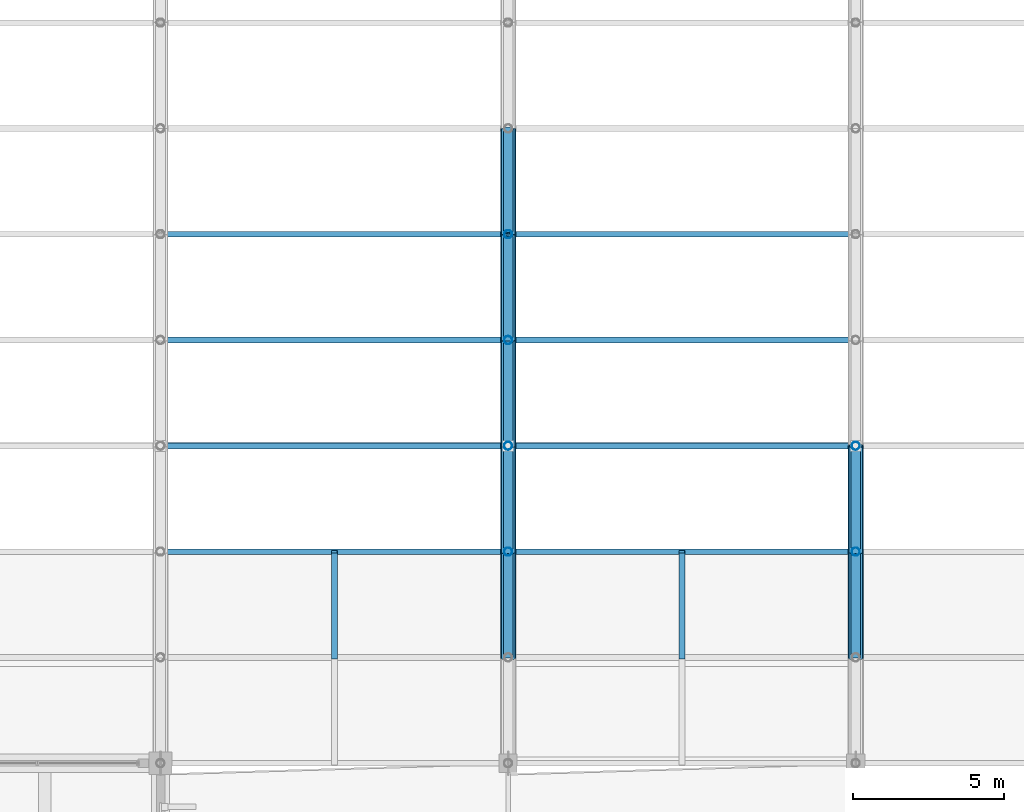
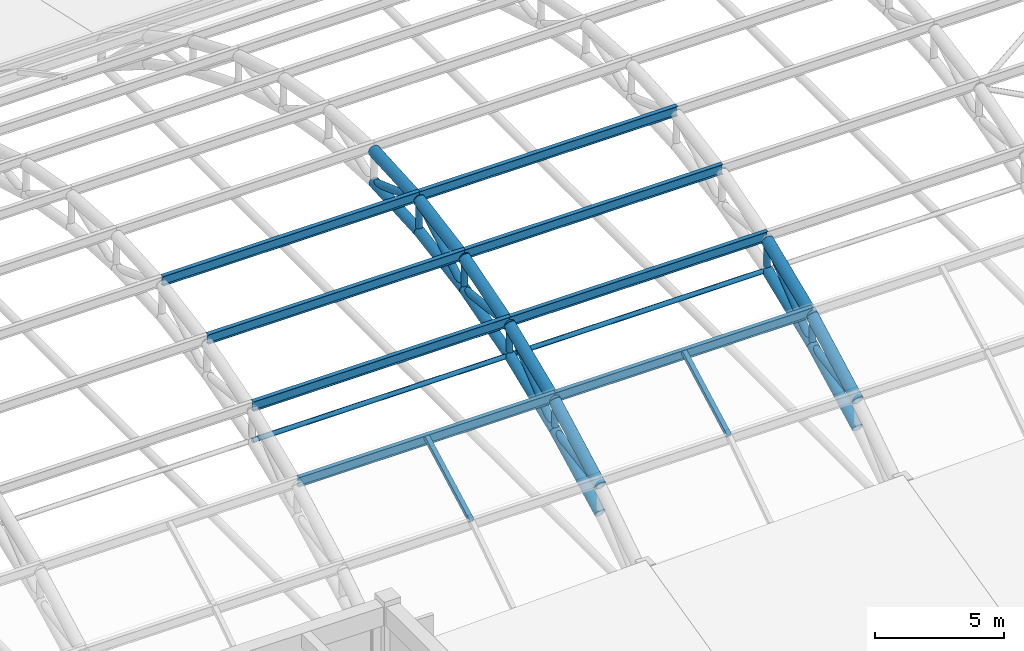
# One storey, part 97 of 154: 39 members.
"""IFC4 building model written with IfcOpenShell, lengths in metres."""

from ifc_helpers import new_model, si_unit, direction, frame, origin, origin_2d, place, context, subcontext, project, spatial, hollow_rectangle, hollow_circle, i_section, extrude, material, material_profile, profile_set, type_object, element, save


model = new_model("IFC4")

# Units and contexts
model_context = context("Model", 3, precision=1e-05, world=origin(), true_north=direction((0.0, 1.0)))
body_context = subcontext(model_context, "Body", "Model", "MODEL_VIEW")
ifc_project = project(units=[si_unit("LENGTHUNIT", "METRE"), si_unit("AREAUNIT", "SQUARE_METRE"), si_unit("VOLUMEUNIT", "CUBIC_METRE"), si_unit("PLANEANGLEUNIT", "RADIAN"), si_unit("MASSUNIT", "GRAM", prefix="KILO")], contexts=[model_context])

# Site, building, storey
site_placement = place(None, origin())
site = spatial("IfcSite", under=ifc_project, at=site_placement, CompositionType="ELEMENT")
building_placement = place(site_placement, origin())
building = spatial("IfcBuilding", under=site, at=building_placement, Name="Ologun Quay Terminus", CompositionType="ELEMENT")
storey_placement = place(building_placement, frame((0.0, 0.0, 13.800048828125)))
storey = spatial("IfcBuildingStorey", under=building, at=storey_placement, Name="L03", CompositionType="ELEMENT", Elevation=13.800048828125)

# Members
ifc_material_1 = material(Name="Steel S355", Category="steel")
ifc_material_profile_1 = material_profile(ifc_material_1, hollow_circle(Radius=0.136474609375, WallThickness=0.010009765625, at=origin_2d()), Name="CHS 273x10")
ifc_profile_set_1 = profile_set([ifc_material_profile_1], Name="Steel S355")
member_type_1 = type_object("IfcMemberType", Name="Arch Truss Vertical Post CHS273", PredefinedType="STRUT", material=ifc_profile_set_1)
member_1_placement = place(storey_placement, frame((138.0, 43.0, 4.022216796875), z_axis=(0.0, 0.0, 1.0), x_axis=(1.0, 0.0, 0.0)))
element("IfcMember", 1, at=member_1_placement, inside=storey, type_object=member_type_1, Name="AW2 Arch Web Post 13-N2", PredefinedType="STRUT", context=body_context, shape_type="SweptSolid", body=[
    extrude(hollow_circle(Radius=0.136474609375, WallThickness=0.010009765625, at=origin_2d()), origin(), (0.0, 0.0, 1.0), 1.35546875),
])
member_2_placement = place(storey_placement, frame((138.0, 46.5, 5.429931640625), z_axis=(0.0, 0.0, 1.0), x_axis=(1.0, 0.0, 0.0)))
element("IfcMember", 2, at=member_2_placement, inside=storey, type_object=member_type_1, Name="AW2 Arch Web Post 13-N3", PredefinedType="STRUT", context=body_context, shape_type="SweptSolid", body=[
    extrude(hollow_circle(Radius=0.136474609375, WallThickness=0.010009765625, at=origin_2d()), origin(), (0.0, 0.0, 1.0), 1.409912109375),
])
member_3_placement = place(storey_placement, frame((138.0, 50.0, 6.435546875), z_axis=(0.0, 0.0, 1.0), x_axis=(1.0, 0.0, 0.0)))
element("IfcMember", 3, at=member_3_placement, inside=storey, type_object=member_type_1, Name="AW2 Arch Web Post 13-N4", PredefinedType="STRUT", context=body_context, shape_type="SweptSolid", body=[
    extrude(hollow_circle(Radius=0.136474609375, WallThickness=0.010009765625, at=origin_2d()), origin(), (0.0, 0.0, 1.0), 1.44873046875),
])
member_4_placement = place(storey_placement, frame((138.0, 53.5, 7.038818359375), z_axis=(0.0, 0.0, 1.0), x_axis=(1.0, 0.0, 0.0)))
element("IfcMember", 4, at=member_4_placement, inside=storey, type_object=member_type_1, Name="AW2 Arch Web Post 13-N5", PredefinedType="STRUT", context=body_context, shape_type="SweptSolid", body=[
    extrude(hollow_circle(Radius=0.136474609375, WallThickness=0.010009765625, at=origin_2d()), origin(), (0.0, 0.0, 1.0), 1.47216796875),
])
member_5_placement = place(storey_placement, frame((149.5, 43.0, 4.022216796875), z_axis=(0.0, 0.0, 1.0), x_axis=(1.0, 0.0, 0.0)))
element("IfcMember", 5, at=member_5_placement, inside=storey, type_object=member_type_1, Name="AW2 Arch Web Post 14-N2", PredefinedType="STRUT", context=body_context, shape_type="SweptSolid", body=[
    extrude(hollow_circle(Radius=0.136474609375, WallThickness=0.010009765625, at=origin_2d()), origin(), (0.0, 0.0, 1.0), 1.35546875),
])
member_6_placement = place(storey_placement, frame((149.5, 46.5, 5.429931640625), z_axis=(0.0, 0.0, 1.0), x_axis=(1.0, 0.0, 0.0)))
element("IfcMember", 6, at=member_6_placement, inside=storey, type_object=member_type_1, Name="AW2 Arch Web Post 14-N3", PredefinedType="STRUT", context=body_context, shape_type="SweptSolid", body=[
    extrude(hollow_circle(Radius=0.136474609375, WallThickness=0.010009765625, at=origin_2d()), origin(), (0.0, 0.0, 1.0), 1.409912109375),
])
ifc_material_2 = material(Name="Steel S355", Category="steel")
ifc_material_profile_2 = material_profile(ifc_material_2, hollow_circle(Radius=0.161865234375, WallThickness=0.010009765625, at=origin_2d()), Name="CHS 323.9x10")
ifc_profile_set_2 = profile_set([ifc_material_profile_2], Name="Steel S355")
member_type_2 = type_object("IfcMemberType", Name="Arch Truss Web Diagonal CHS323", PredefinedType="BRACE", material=ifc_profile_set_2)
member_7_placement = place(storey_placement, frame((138.0, 39.5, 3.497802734375), z_axis=(0.0, 0.988960627525, 0.148178531524), x_axis=(-1.0, 0.0, 0.0)))
element("IfcMember", 7, at=member_7_placement, inside=storey, type_object=member_type_2, Name="AW1 Arch Web Diagonal 13-P2", PredefinedType="BRACE", context=body_context, shape_type="SweptSolid", body=[
    extrude(hollow_circle(Radius=0.161865234375, WallThickness=0.010009765625, at=origin_2d()), origin(), (0.0, 0.0, 1.0), 3.5390625),
])
member_8_placement = place(storey_placement, frame((138.0, 43.0, 4.022216796875), z_axis=(0.0, 0.77895148125, 0.627084196785), x_axis=(-1.0, 0.0, 0.0)))
element("IfcMember", 8, at=member_8_placement, inside=storey, type_object=member_type_2, Name="AW1 Arch Web Diagonal 13-P3", PredefinedType="BRACE", context=body_context, shape_type="SweptSolid", body=[
    extrude(hollow_circle(Radius=0.161865234375, WallThickness=0.010009765625, at=origin_2d()), origin(), (0.0, 0.0, 1.0), 4.4931640625),
])
member_9_placement = place(storey_placement, frame((138.0, 46.5, 6.83984375), z_axis=(0.0, 0.993394361, -0.114750353084), x_axis=(-1.0, 0.0, 0.0)))
element("IfcMember", 9, at=member_9_placement, inside=storey, type_object=member_type_2, Name="AW1 Arch Web Diagonal 13-P4", PredefinedType="BRACE", context=body_context, shape_type="SweptSolid", body=[
    extrude(hollow_circle(Radius=0.161865234375, WallThickness=0.010009765625, at=origin_2d()), origin(), (0.0, 0.0, 1.0), 3.523193359375),
])
member_10_placement = place(storey_placement, frame((138.0, 50.0, 6.435546875), z_axis=(0.0, 0.860144332958, 0.510050709715), x_axis=(-1.0, 0.0, 0.0)))
element("IfcMember", 10, at=member_10_placement, inside=storey, type_object=member_type_2, Name="AW1 Arch Web Diagonal 13-P5", PredefinedType="BRACE", context=body_context, shape_type="SweptSolid", body=[
    extrude(hollow_circle(Radius=0.161865234375, WallThickness=0.010009765625, at=origin_2d()), origin(), (0.0, 0.0, 1.0), 4.069091796875),
])
member_11_placement = place(storey_placement, frame((138.0, 53.5, 8.510986328125), z_axis=(0.0, 0.939942650142, -0.34133241048), x_axis=(-1.0, 0.0, 0.0)))
element("IfcMember", 11, at=member_11_placement, inside=storey, type_object=member_type_2, Name="AW1 Arch Web Diagonal 13-P6", PredefinedType="BRACE", context=body_context, shape_type="SweptSolid", body=[
    extrude(hollow_circle(Radius=0.161865234375, WallThickness=0.010009765625, at=origin_2d()), origin(), (0.0, 0.0, 1.0), 3.7236328125),
])
member_12_placement = place(storey_placement, frame((149.5, 39.5, 3.497802734375), z_axis=(0.0, 0.988960627525, 0.148178531524), x_axis=(-1.0, 0.0, 0.0)))
element("IfcMember", 12, at=member_12_placement, inside=storey, type_object=member_type_2, Name="AW1 Arch Web Diagonal 14-P2", PredefinedType="BRACE", context=body_context, shape_type="SweptSolid", body=[
    extrude(hollow_circle(Radius=0.161865234375, WallThickness=0.010009765625, at=origin_2d()), origin(), (0.0, 0.0, 1.0), 3.5390625),
])
member_13_placement = place(storey_placement, frame((149.5, 43.0, 4.022216796875), z_axis=(0.0, 0.77895148125, 0.627084196785), x_axis=(-1.0, 0.0, 0.0)))
element("IfcMember", 13, at=member_13_placement, inside=storey, type_object=member_type_2, Name="AW1 Arch Web Diagonal 14-P3", PredefinedType="BRACE", context=body_context, shape_type="SweptSolid", body=[
    extrude(hollow_circle(Radius=0.161865234375, WallThickness=0.010009765625, at=origin_2d()), origin(), (0.0, 0.0, 1.0), 4.4931640625),
])
ifc_material_3 = material(Name="Steel S355", Category="steel")
ifc_material_profile_3 = material_profile(ifc_material_3, hollow_circle(Radius=0.228515625, WallThickness=0.01611328125, at=origin_2d()), Name="CHS 457x16")
ifc_profile_set_3 = profile_set([ifc_material_profile_3], Name="Steel S355")
member_type_3 = type_object("IfcMemberType", Name="Parabolic Arch Bottom Chord CHS457", PredefinedType="CHORD", material=ifc_profile_set_3)
member_14_placement = place(storey_placement, frame((138.0, 39.5, 2.212158203125), z_axis=(0.0, 0.888247284083, 0.459365608551), x_axis=(-1.0, 0.0, 0.0)))
element("IfcMember", 14, at=member_14_placement, inside=storey, type_object=member_type_3, Name="AC2 Arch Bottom Chord 13-P2", PredefinedType="CHORD", context=body_context, shape_type="SweptSolid", body=[
    extrude(hollow_circle(Radius=0.228515625, WallThickness=0.01611328125, at=origin_2d()), origin(), (0.0, 0.0, 1.0), 3.9404296875),
])
member_15_placement = place(storey_placement, frame((138.0, 43.0, 4.022216796875), z_axis=(0.0, 0.92776983497, 0.373152962363), x_axis=(-1.0, 0.0, 0.0)))
element("IfcMember", 15, at=member_15_placement, inside=storey, type_object=member_type_3, Name="AC2 Arch Bottom Chord 13-P3", PredefinedType="CHORD", context=body_context, shape_type="SweptSolid", body=[
    extrude(hollow_circle(Radius=0.228515625, WallThickness=0.01611328125, at=origin_2d()), origin(), (0.0, 0.0, 1.0), 3.7724609375),
])
member_16_placement = place(storey_placement, frame((138.0, 46.5, 5.429931640625), z_axis=(0.0, 0.961115578425, 0.276146419331), x_axis=(-1.0, 0.0, 0.0)))
element("IfcMember", 16, at=member_16_placement, inside=storey, type_object=member_type_3, Name="AC2 Arch Bottom Chord 13-P4", PredefinedType="CHORD", context=body_context, shape_type="SweptSolid", body=[
    extrude(hollow_circle(Radius=0.228515625, WallThickness=0.01611328125, at=origin_2d()), origin(), (0.0, 0.0, 1.0), 3.6416015625),
])
member_17_placement = place(storey_placement, frame((138.0, 50.0, 6.435546875), z_axis=(0.0, 0.985468449185, 0.16985857547), x_axis=(-1.0, 0.0, 0.0)))
element("IfcMember", 17, at=member_17_placement, inside=storey, type_object=member_type_3, Name="AC2 Arch Bottom Chord 13-P5", PredefinedType="CHORD", context=body_context, shape_type="SweptSolid", body=[
    extrude(hollow_circle(Radius=0.228515625, WallThickness=0.01611328125, at=origin_2d()), origin(), (0.0, 0.0, 1.0), 3.551513671875),
])
member_18_placement = place(storey_placement, frame((138.0, 53.5, 7.038818359375), z_axis=(0.0, 0.998352239869, 0.057382969144), x_axis=(-1.0, 0.0, 0.0)))
element("IfcMember", 18, at=member_18_placement, inside=storey, type_object=member_type_3, Name="AC2 Arch Bottom Chord 13-P6", PredefinedType="CHORD", context=body_context, shape_type="SweptSolid", body=[
    extrude(hollow_circle(Radius=0.228515625, WallThickness=0.01611328125, at=origin_2d()), origin(), (0.0, 0.0, 1.0), 3.505859375),
])
member_19_placement = place(storey_placement, frame((149.5, 39.5, 2.212158203125), z_axis=(0.0, 0.888247284083, 0.459365608551), x_axis=(-1.0, 0.0, 0.0)))
element("IfcMember", 19, at=member_19_placement, inside=storey, type_object=member_type_3, Name="AC2 Arch Bottom Chord 14-P2", PredefinedType="CHORD", context=body_context, shape_type="SweptSolid", body=[
    extrude(hollow_circle(Radius=0.228515625, WallThickness=0.01611328125, at=origin_2d()), origin(), (0.0, 0.0, 1.0), 3.9404296875),
])
member_20_placement = place(storey_placement, frame((149.5, 43.0, 4.022216796875), z_axis=(0.0, 0.92776983497, 0.373152962363), x_axis=(-1.0, 0.0, 0.0)))
element("IfcMember", 20, at=member_20_placement, inside=storey, type_object=member_type_3, Name="AC2 Arch Bottom Chord 14-P3", PredefinedType="CHORD", context=body_context, shape_type="SweptSolid", body=[
    extrude(hollow_circle(Radius=0.228515625, WallThickness=0.01611328125, at=origin_2d()), origin(), (0.0, 0.0, 1.0), 3.7724609375),
])
ifc_material_4 = material(Name="Steel S355", Category="steel")
ifc_material_profile_4 = material_profile(ifc_material_4, hollow_circle(Radius=0.25390625, WallThickness=0.01611328125, at=origin_2d()), Name="CHS 508x16")
ifc_profile_set_4 = profile_set([ifc_material_profile_4], Name="Steel S355")
member_type_4 = type_object("IfcMemberType", Name="Parabolic Arch Top Chord CHS508", PredefinedType="CHORD", material=ifc_profile_set_4)
member_21_placement = place(storey_placement, frame((138.0, 39.5, 3.497802734375), z_axis=(0.0, 0.880967864924, 0.473176099324), x_axis=(-1.0, 0.0, 0.0)))
element("IfcMember", 21, at=member_21_placement, inside=storey, type_object=member_type_4, Name="Arch Top Chord 13-P2", PredefinedType="CHORD", context=body_context, shape_type="SweptSolid", body=[
    extrude(hollow_circle(Radius=0.25390625, WallThickness=0.01611328125, at=origin_2d()), origin(), (0.0, 0.0, 1.0), 3.972900390625),
])
member_22_placement = place(storey_placement, frame((138.0, 43.0, 5.377685546875), z_axis=(0.0, 0.922718523726, 0.385474416755), x_axis=(-1.0, 0.0, 0.0)))
element("IfcMember", 22, at=member_22_placement, inside=storey, type_object=member_type_4, Name="Arch Top Chord 13-P3", PredefinedType="CHORD", context=body_context, shape_type="SweptSolid", body=[
    extrude(hollow_circle(Radius=0.25390625, WallThickness=0.01611328125, at=origin_2d()), origin(), (0.0, 0.0, 1.0), 3.793212890625),
])
member_23_placement = place(storey_placement, frame((138.0, 46.5, 6.83984375), z_axis=(0.0, 0.958244712677, 0.285949419701), x_axis=(-1.0, 0.0, 0.0)))
element("IfcMember", 23, at=member_23_placement, inside=storey, type_object=member_type_4, Name="Arch Top Chord 13-P4", PredefinedType="CHORD", context=body_context, shape_type="SweptSolid", body=[
    extrude(hollow_circle(Radius=0.25390625, WallThickness=0.01611328125, at=origin_2d()), origin(), (0.0, 0.0, 1.0), 3.652587890625),
])
member_24_placement = place(storey_placement, frame((138.0, 50.0, 7.88427734375), z_axis=(0.0, 0.984344289591, 0.176256402859), x_axis=(-1.0, 0.0, 0.0)))
element("IfcMember", 24, at=member_24_placement, inside=storey, type_object=member_type_4, Name="Arch Top Chord 13-P5", PredefinedType="CHORD", context=body_context, shape_type="SweptSolid", body=[
    extrude(hollow_circle(Radius=0.25390625, WallThickness=0.01611328125, at=origin_2d()), origin(), (0.0, 0.0, 1.0), 3.5556640625),
])
member_25_placement = place(storey_placement, frame((138.0, 53.5, 8.510986328125), z_axis=(0.0, 0.998222121157, 0.0596036646), x_axis=(-1.0, 0.0, 0.0)))
element("IfcMember", 25, at=member_25_placement, inside=storey, type_object=member_type_4, Name="Arch Top Chord 13-P6", PredefinedType="CHORD", context=body_context, shape_type="SweptSolid", body=[
    extrude(hollow_circle(Radius=0.25390625, WallThickness=0.01611328125, at=origin_2d()), origin(), (0.0, 0.0, 1.0), 3.50634765625),
])
member_26_placement = place(storey_placement, frame((149.5, 39.5, 3.497802734375), z_axis=(0.0, 0.880967864924, 0.473176099324), x_axis=(-1.0, 0.0, 0.0)))
element("IfcMember", 26, at=member_26_placement, inside=storey, type_object=member_type_4, Name="Arch Top Chord 14-P2", PredefinedType="CHORD", context=body_context, shape_type="SweptSolid", body=[
    extrude(hollow_circle(Radius=0.25390625, WallThickness=0.01611328125, at=origin_2d()), origin(), (0.0, 0.0, 1.0), 3.972900390625),
])
member_27_placement = place(storey_placement, frame((149.5, 43.0, 5.377685546875), z_axis=(0.0, 0.922718523726, 0.385474416755), x_axis=(-1.0, 0.0, 0.0)))
element("IfcMember", 27, at=member_27_placement, inside=storey, type_object=member_type_4, Name="Arch Top Chord 14-P3", PredefinedType="CHORD", context=body_context, shape_type="SweptSolid", body=[
    extrude(hollow_circle(Radius=0.25390625, WallThickness=0.01611328125, at=origin_2d()), origin(), (0.0, 0.0, 1.0), 3.793212890625),
])
ifc_material_5 = material(Name="Steel S355", Category="steel")
ifc_material_profile_5 = material_profile(ifc_material_5, hollow_circle(Radius=0.109619140625, WallThickness=0.008056640625, at=origin_2d()), Name="CHS 219.1x8")
ifc_profile_set_5 = profile_set([ifc_material_profile_5], Name="Steel S355")
member_type_5 = type_object("IfcMemberType", Name="Roof Plan Wind Brace Collector CHS219", PredefinedType="STRUT", material=ifc_profile_set_5)
for number, where, z_axis, x_axis, name in (
    (28, (126.5, 46.5, 5.429931640625), (1.0, 0.0, 0.0), (0.0, 1.0, 0.0), "WB2 Collector Strut B12-K3"),
    (29, (138.0, 46.5, 5.429931640625), (1.0, 0.0, 0.0), (0.0, 1.0, 0.0), "WB2 Collector Strut B13-K3"),
):
    element("IfcMember", number, at=place(storey_placement, frame(where, z_axis=z_axis, x_axis=x_axis)), inside=storey, type_object=member_type_5, Name=name, PredefinedType="STRUT", context=body_context, shape_type="SweptSolid", body=[
        extrude(hollow_circle(Radius=0.109619140625, WallThickness=0.008056640625, at=origin_2d()), origin(), (0.0, 0.0, 1.0), 11.5),
    ])
ifc_material_6 = material(Name="Steel S355", Category="steel")
ifc_material_profile_6 = material_profile(ifc_material_6, hollow_rectangle(XDim=0.199951171875, YDim=0.199951171875, WallThickness=0.008056640625, at=origin_2d()), Name="SHS 200x200x8")
ifc_profile_set_6 = profile_set([ifc_material_profile_6], Name="Steel S355")
member_type_6 = type_object("IfcMemberType", Name="Skylight Cross Transom Bar RHS150", PredefinedType="STRUT", material=ifc_profile_set_6)
for number, where, z_axis, x_axis, name in (
    (30, (132.25, 39.5, 3.851806640625), (0.0, 0.880967864924, 0.473176099324), (-1.0, 0.0, 0.0), "SK2 Eave Secondary Rafter B12-P2"),
    (31, (143.75, 39.5, 3.851806640625), (0.0, 0.880967864924, 0.473176099324), (-1.0, 0.0, 0.0), "SK2 Eave Secondary Rafter B13-P2"),
):
    element("IfcMember", number, at=place(storey_placement, frame(where, z_axis=z_axis, x_axis=x_axis)), inside=storey, type_object=member_type_6, Name=name, PredefinedType="STRUT", context=body_context, shape_type="SweptSolid", body=[
        extrude(hollow_rectangle(XDim=0.199951171875, YDim=0.199951171875, WallThickness=0.008056640625, at=origin_2d()), origin(), (0.0, 0.0, 1.0), 3.972900390625),
    ])
ifc_material_7 = material(Name="Steel S355", Category="steel")
ifc_material_profile_7 = material_profile(ifc_material_7, i_section(OverallWidth=0.1904296875, OverallDepth=0.45703125, WebThickness=0.009033203125, FlangeThickness=0.014404296875, at=origin_2d()), Name="UKB 457x191x74")
ifc_profile_set_7 = profile_set([ifc_material_profile_7], Name="Steel S355")
member_type_7 = type_object("IfcMemberType", Name="Train Shed Primary Roof Purlin UKB457", PredefinedType="PURLIN", material=ifc_profile_set_7)
for number, where, z_axis, x_axis, name in (
    (32, (126.5, 43.0, 5.606201171875), (1.0, 0.0, 0.0), (0.0, 1.0, 0.0), "PR1 Roof Purlin B12-N2"),
    (33, (126.5, 46.5, 7.068359375), (1.0, 0.0, 0.0), (0.0, 1.0, 0.0), "PR1 Roof Purlin B12-N3"),
    (34, (126.5, 50.0, 8.11279296875), (1.0, 0.0, 0.0), (0.0, 1.0, 0.0), "PR1 Roof Purlin B12-N4"),
    (35, (126.5, 53.5, 8.739501953125), (1.0, 0.0, 0.0), (0.0, 1.0, 0.0), "PR1 Roof Purlin B12-N5"),
    (36, (138.0, 43.0, 5.606201171875), (1.0, 0.0, 0.0), (0.0, 1.0, 0.0), "PR1 Roof Purlin B13-N2"),
    (37, (138.0, 46.5, 7.068359375), (1.0, 0.0, 0.0), (0.0, 1.0, 0.0), "PR1 Roof Purlin B13-N3"),
    (38, (138.0, 50.0, 8.11279296875), (1.0, 0.0, 0.0), (0.0, 1.0, 0.0), "PR1 Roof Purlin B13-N4"),
    (39, (138.0, 53.5, 8.739501953125), (1.0, 0.0, 0.0), (0.0, 1.0, 0.0), "PR1 Roof Purlin B13-N5"),
):
    element("IfcMember", number, at=place(storey_placement, frame(where, z_axis=z_axis, x_axis=x_axis)), inside=storey, type_object=member_type_7, Name=name, PredefinedType="PURLIN", context=body_context, shape_type="SweptSolid", body=[
        extrude(i_section(OverallWidth=0.1904296875, OverallDepth=0.45703125, WebThickness=0.009033203125, FlangeThickness=0.014404296875, at=origin_2d()), origin(), (0.0, 0.0, 1.0), 11.5),
    ])

save(model, "model.ifc")
